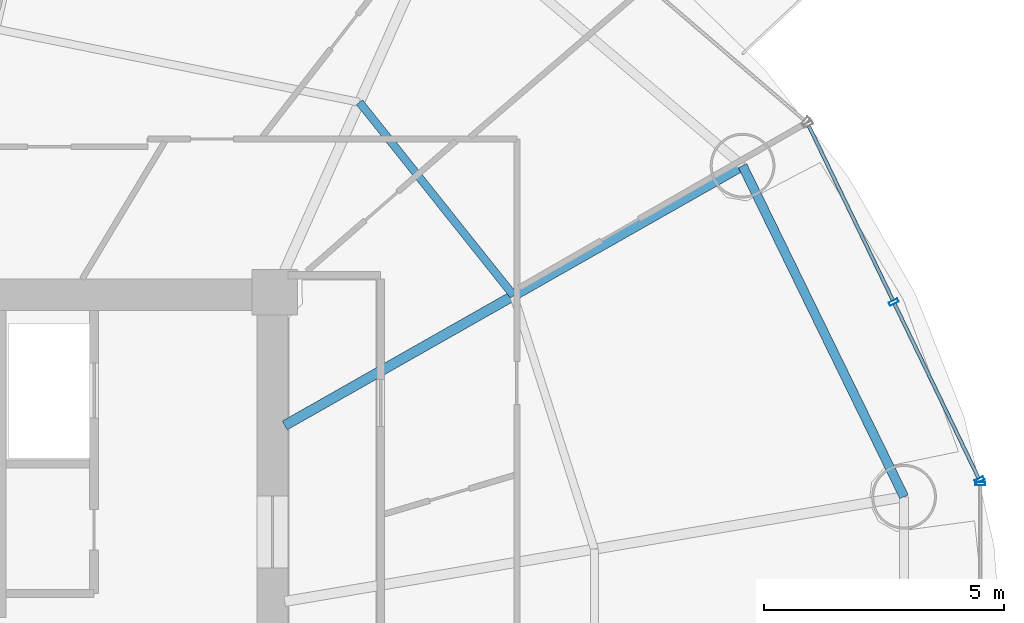
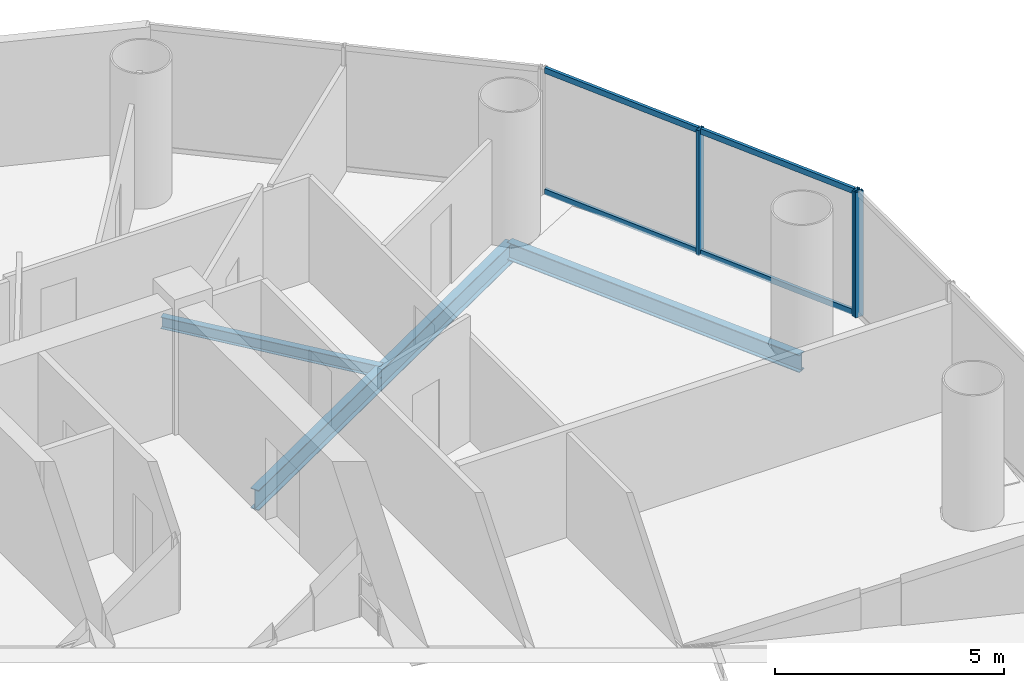
# One storey, part 13 of 27: 7 members, 3 beams, 2 elements without a shape of their own.
"""IFC4 building model written with IfcOpenShell, lengths in metres."""

import ifcopenshell
import ifcopenshell.guid

model = None  # the IFC model being written
_history = None  # IfcOwnerHistory: only IFC2X3 demands one
_inside = {}  # id of a spatial element -> (the spatial element, [elements in it])
_under = {}  # id of a project, library or spatial element -> (it, [spatial elements below it])
_declared = {}  # id of a project -> (the project, [libraries it declares])
_typed = {}  # id of a type object -> (the type object, [elements of that type])
_made_of = {}  # id of a material, layer set ... -> (it, [elements and type objects made of it])


def new_model(schema):
    """Start an empty IFC model of exactly this schema.

    Asked for "IFC4X3", IfcOpenShell would pick the latest addendum, in which some entities
    have other attributes; the version numbers below select the first issue.
    IFC2X3 requires an IfcOwnerHistory on every rooted entity: one is made here for all.
    """
    global model, _history
    if schema == "IFC4X3":
        model = ifcopenshell.file(schema_version=(4, 3, 0, 0))
    else:
        model = ifcopenshell.file(schema=schema)
    _inside.clear()
    _under.clear()
    _declared.clear()
    _typed.clear()
    _made_of.clear()
    _history = None
    if model.schema == "IFC2X3":
        org = make("IfcOrganization", Name="unknown")
        user = make(
            "IfcPersonAndOrganization",
            ThePerson=make("IfcPerson", FamilyName="unknown"),
            TheOrganization=org,
        )
        app = make(
            "IfcApplication",
            ApplicationDeveloper=org,
            Version="unknown",
            ApplicationFullName="unknown",
            ApplicationIdentifier="unknown",
        )
        _history = make(
            "IfcOwnerHistory",
            OwningUser=user,
            OwningApplication=app,
            ChangeAction="ADDED",
            CreationDate=0,
        )
    return model


def make(cls, **values):
    """One entity of the class cls with the attributes given. An attribute that is None is left unset."""
    return model.create_entity(
        cls, **{name: value for name, value in values.items() if value is not None}
    )


def rooted(cls, **values):
    """An entity with a GlobalId (a new one), such as an element, a storey or a relation."""
    return make(cls, GlobalId=ifcopenshell.guid.new(), OwnerHistory=_history, **values)


def si_unit(unit_type, name, prefix=None):
    """IfcSIUnit, for example si_unit("LENGTHUNIT", "METRE", prefix="MILLI")."""
    return make("IfcSIUnit", UnitType=unit_type, Prefix=prefix, Name=name)


def assignment(units):
    """IfcUnitAssignment: the units of a project."""
    return None if units is None else make("IfcUnitAssignment", Units=units)


def point(xyz):
    """IfcCartesianPoint."""
    return None if xyz is None else make("IfcCartesianPoint", Coordinates=xyz)


def direction(xyz):
    """IfcDirection."""
    return None if xyz is None else make("IfcDirection", DirectionRatios=xyz)


def frame(location, z_axis=None, x_axis=None):
    """IfcAxis2Placement3D, a coordinate frame: its origin and axes. An axis left out is left unset."""
    return make(
        "IfcAxis2Placement3D",
        Location=point(location),
        Axis=direction(z_axis),
        RefDirection=direction(x_axis),
    )


def frame_2d(location, x_axis=None):
    """IfcAxis2Placement2D, a coordinate frame in the plane: its origin and x axis."""
    return make(
        "IfcAxis2Placement2D", Location=point(location), RefDirection=direction(x_axis)
    )


def origin():
    """The frame at (0, 0, 0) with its axes left unset."""
    return frame((0.0, 0.0, 0.0))


def origin_2d():
    """The frame at (0, 0) in the plane with its x axis left unset."""
    return frame_2d((0.0, 0.0))


def place(relative_to, where):
    """IfcLocalPlacement: puts the frame where relative to a parent placement (None: the world)."""
    return make(
        "IfcLocalPlacement", PlacementRelTo=relative_to, RelativePlacement=where
    )


def context(
    kind, dimensions, precision=None, world=None, true_north=None, identifier=None
):
    """IfcGeometricRepresentationContext, for example the 3D "Model" context."""
    return make(
        "IfcGeometricRepresentationContext",
        ContextIdentifier=identifier,
        ContextType=kind,
        CoordinateSpaceDimension=dimensions,
        Precision=precision,
        WorldCoordinateSystem=world,
        TrueNorth=true_north,
    )


def subcontext(parent, identifier, kind, view, scale=None):
    """IfcGeometricRepresentationSubContext, for example "Body" below "Model"."""
    return make(
        "IfcGeometricRepresentationSubContext",
        ContextIdentifier=identifier,
        ContextType=kind,
        ParentContext=parent,
        TargetScale=scale,
        TargetView=view,
    )


def project(units=None, contexts=None):
    """IfcProject with its units and contexts."""
    return rooted(
        "IfcProject",
        Name="project",
        RepresentationContexts=contexts,
        UnitsInContext=assignment(units),
    )


def spatial(cls, under=None, at=None, **own):
    """A site, building, storey or space (cls), placed at a placement, below another one or the project."""
    s = rooted(cls, ObjectPlacement=at, **own)
    if under is not None:
        _under.setdefault(under.id(), (under, []))[1].append(s)
    return s


def profile(cls, at=None, kind="AREA", **sizes):
    """A parametric profile (cls). Its sizes go by their IFC names, for example OverallWidth=200.0."""
    return make(cls, ProfileType=kind, Position=at, **sizes)


def hollow_rectangle(**sizes):
    """IfcRectangleHollowProfileDef."""
    return profile("IfcRectangleHollowProfileDef", **sizes)


def i_section(**sizes):
    """IfcIShapeProfileDef."""
    return profile("IfcIShapeProfileDef", **sizes)


def extrude(swept, where, along, depth):
    """IfcExtrudedAreaSolid: the profile swept, set in the frame where, extruded along a direction by depth."""
    return make(
        "IfcExtrudedAreaSolid",
        SweptArea=swept,
        Position=where,
        ExtrudedDirection=direction(along),
        Depth=depth,
    )


def shape(context_of_items, identifier, shape_type, items):
    """IfcShapeRepresentation: the items that make up one representation, for example the "Body"."""
    return make(
        "IfcShapeRepresentation",
        ContextOfItems=context_of_items,
        RepresentationIdentifier=identifier,
        RepresentationType=shape_type,
        Items=items,
    )


def source(mapping_origin, context_of_items, identifier, shape_type, items):
    """IfcRepresentationMap: a shape defined once, which mapped items show again and again."""
    return make(
        "IfcRepresentationMap",
        MappingOrigin=mapping_origin,
        MappedRepresentation=shape(context_of_items, identifier, shape_type, items),
    )


def transform(
    local_origin,
    x_axis=None,
    y_axis=None,
    z_axis=None,
    scale=None,
    scale2=None,
    scale3=None,
    uniform=True,
):
    """IfcCartesianTransformationOperator3D, or its non-uniform kind. x_axis, y_axis, z_axis: its Axis1, 2, 3."""
    if uniform:
        return make(
            "IfcCartesianTransformationOperator3D",
            Axis1=direction(x_axis),
            Axis2=direction(y_axis),
            LocalOrigin=point(local_origin),
            Scale=scale,
            Axis3=direction(z_axis),
        )
    return make(
        "IfcCartesianTransformationOperator3DnonUniform",
        Axis1=direction(x_axis),
        Axis2=direction(y_axis),
        LocalOrigin=point(local_origin),
        Scale=scale,
        Axis3=direction(z_axis),
        Scale2=scale2,
        Scale3=scale3,
    )


def mapped(mapping_source, mapping_target):
    """IfcMappedItem: shows the shape of a source again, moved by a transform."""
    return make(
        "IfcMappedItem", MappingSource=mapping_source, MappingTarget=mapping_target
    )


def material(Name=None, Category=None):
    """IfcMaterial."""
    return make("IfcMaterial", Name=Name, Category=Category)


def material_profile(
    of_material, cross_section, Name=None, Category=None, Priority=None
):
    """IfcMaterialProfile: a cross section and its material."""
    return make(
        "IfcMaterialProfile",
        Name=Name,
        Material=of_material,
        Profile=cross_section,
        Priority=Priority,
        Category=Category,
    )


def profile_set(profiles, Name=None, composite=None):
    """IfcMaterialProfileSet."""
    return make(
        "IfcMaterialProfileSet",
        Name=Name,
        MaterialProfiles=profiles,
        CompositeProfile=composite,
    )


def made_of(thing, what):
    """Note that an element or type object is made of a material, layer set ...; save() writes the relation."""
    if what is not None:
        _made_of.setdefault(what.id(), (what, []))[1].append(thing)
    return thing


def type_object(cls, material=None, **own):
    """A type object (cls), such as IfcWallType, which elements share."""
    return made_of(rooted(cls, **own), material)


def element(
    cls,
    number,
    at=None,
    inside=None,
    cuts=None,
    type_object=None,
    material=None,
    context=None,
    identifier="Body",
    shape_type=None,
    held_by="IfcProductDefinitionShape",
    body=None,
    shapes=None,
    **own,
):
    """One element of the class cls, such as IfcWall. Its Tag is "e" and its number.

    at: its placement. inside: the storey or other place that contains it. cuts: it is an
    opening in that element (IfcRelVoidsElement). A single representation is given by context,
    identifier, shape_type and body (its items); several are given by shapes. held_by: the class
    of the entity that holds the representations. save() writes the other relations.
    """
    e = rooted(cls, Tag="e%d" % number, ObjectPlacement=at, **own)
    if body is not None:
        shapes = [shape(context, identifier, shape_type, body)]
    if shapes is not None:
        e.Representation = make(held_by, Representations=shapes)
    if inside is not None:
        _inside.setdefault(inside.id(), (inside, []))[1].append(e)
    if cuts is not None:
        rooted(
            "IfcRelVoidsElement", RelatingBuildingElement=cuts, RelatedOpeningElement=e
        )
    if type_object is not None:
        _typed.setdefault(type_object.id(), (type_object, []))[1].append(e)
    return made_of(e, material)


def aggregate(whole, parts):
    """IfcRelAggregates: a whole, such as a stair, and the parts it consists of."""
    return rooted("IfcRelAggregates", RelatingObject=whole, RelatedObjects=parts)


def save(model, path):
    """Write the relations noted so far, then the file.

    IfcRelAggregates (storeys below a building ...), IfcRelContainedInSpatialStructure (elements
    in a storey), IfcRelDefinesByType, IfcRelAssociatesMaterial and IfcRelDeclares: one each for
    every whole, place, type object, material and project.
    """
    for whole, parts in _under.values():
        aggregate(whole, parts)
    for where, things in _inside.values():
        rooted(
            "IfcRelContainedInSpatialStructure",
            RelatedElements=things,
            RelatingStructure=where,
        )
    for kind, things in _typed.values():
        rooted("IfcRelDefinesByType", RelatedObjects=things, RelatingType=kind)
    for what, things in _made_of.values():
        rooted("IfcRelAssociatesMaterial", RelatedObjects=things, RelatingMaterial=what)
    for by, libraries in _declared.values():
        rooted("IfcRelDeclares", RelatingContext=by, RelatedDefinitions=libraries)
    model.write(path)


model = new_model("IFC4")

# Units and contexts
model_context = context("Model", 3, precision=1e-05, world=origin(), true_north=direction((-0.2419218956, 0.970295726276)))
body_context = subcontext(model_context, "Body", "Model", "MODEL_VIEW")
ifc_project = project(units=[si_unit("LENGTHUNIT", "METRE"), si_unit("AREAUNIT", "SQUARE_METRE"), si_unit("VOLUMEUNIT", "CUBIC_METRE"), si_unit("PLANEANGLEUNIT", "RADIAN"), si_unit("MASSUNIT", "GRAM", prefix="KILO")], contexts=[model_context])

# Site, building, storey
site_placement = place(None, origin())
site = spatial("IfcSite", under=ifc_project, at=site_placement, CompositionType="ELEMENT")
building_placement = place(site_placement, origin())
building = spatial("IfcBuilding", under=site, at=building_placement, Name="Cobrevalo Terracotta Tower", CompositionType="ELEMENT")
storey_placement = place(building_placement, frame((0.0, 0.0, 157.0)))
storey = spatial("IfcBuildingStorey", under=building, at=storey_placement, Name="L41", CompositionType="ELEMENT", Elevation=157.0)

# Beams
ifc_material_1 = material(Name="Steel S355", Category="steel")
ifc_material_profile_1 = material_profile(ifc_material_1, i_section(OverallWidth=0.2109375, OverallDepth=0.5390625, WebThickness=0.01171875, FlangeThickness=0.018798828125, at=origin_2d()), Name="W 530x109")
ifc_profile_set_1 = profile_set([ifc_material_profile_1], Name="Steel S355")
beam_type_1 = type_object("IfcBeamType", Name="Structural Beam W 530x109 (Steel S355)", PredefinedType="BEAM", material=ifc_profile_set_1)
beam_1_placement = place(storey_placement, frame((56.749755859375, 37.439208984375, -0.53955078125), z_axis=(-0.869734177783, -0.493520475762, 0.0), x_axis=(0.493520475762, -0.869734177783, 0.0)))
element("IfcBeam", 1, at=beam_1_placement, inside=storey, type_object=beam_type_1, Name="L41 radial floor girder 02", PredefinedType="BEAM", context=body_context, shape_type="SweptSolid", body=[
    extrude(i_section(OverallWidth=0.2109375, OverallDepth=0.5390625, WebThickness=0.01171875, FlangeThickness=0.018798828125, at=origin_2d()), origin(), (0.0, 0.0, 1.0), 10.974365234375),
])
ifc_material_profile_2 = material_profile(ifc_material_1, i_section(OverallWidth=0.1650390625, OverallDepth=0.31005859375, WebThickness=0.005859375, FlangeThickness=0.009765625, at=origin_2d()), Name="W 310x38.7")
ifc_profile_set_2 = profile_set([ifc_material_profile_2], Name="Steel S355")
beam_type_2 = type_object("IfcBeamType", Name="Structural Joist W 310x38.7 (Steel S355)", PredefinedType="JOIST", material=ifc_profile_set_2)
beam_2_placement = place(storey_placement, frame((51.977294921875, 34.731201171875, -0.425048828125), z_axis=(-0.62340602772, 0.781898282773, 0.0), x_axis=(-0.781898282773, -0.62340602772, 0.0)))
element("IfcBeam", 2, at=beam_2_placement, inside=storey, type_object=beam_type_2, Name="L41 circumferential secondary floor joist 02", PredefinedType="JOIST", context=body_context, shape_type="SweptSolid", body=[
    extrude(i_section(OverallWidth=0.1650390625, OverallDepth=0.31005859375, WebThickness=0.005859375, FlangeThickness=0.009765625, at=origin_2d()), origin(), (0.0, 0.0, 1.0), 5.154052734375),
])
ifc_material_profile_3 = material_profile(ifc_material_1, i_section(OverallWidth=0.194091796875, OverallDepth=0.468994140625, WebThickness=0.011474609375, FlangeThickness=0.0205078125, at=origin_2d()), Name="W 460x106")
ifc_profile_set_3 = profile_set([ifc_material_profile_3], Name="Steel S355")
beam_type_3 = type_object("IfcBeamType", Name="Structural Spandrel W 460x106 (Steel S355)", PredefinedType="SPANDREL", material=ifc_profile_set_3)
beam_3_placement = place(storey_placement, frame((60.11669921875, 30.535888671875, -0.50439453125), z_axis=(-0.438367894028, 0.89879563277, 0.0), x_axis=(-0.89879563277, -0.438367894028, 0.0)))
element("IfcBeam", 3, at=beam_3_placement, inside=storey, type_object=beam_type_3, Name="L41 perimeter ring spandrel 01", PredefinedType="SPANDREL", context=body_context, shape_type="SweptSolid", body=[
    extrude(i_section(OverallWidth=0.194091796875, OverallDepth=0.468994140625, WebThickness=0.011474609375, FlangeThickness=0.0205078125, at=origin_2d()), origin(), (0.0, 0.0, 1.0), 7.6806640625),
])

# Curtain wall, members
ifc_material_2 = material(Name="Anodized aluminium", Category="aluminium")
curtain_wall_type = type_object("IfcCurtainWallType", Name="Mid-tower high-wind unitised curtain wall CW-U2", PredefinedType="NOTDEFINED", material=ifc_material_2)
curtain_wall_1_placement = place(storey_placement, origin())
curtain_wall_1 = element("IfcCurtainWall", 4, at=curtain_wall_1_placement, inside=storey, type_object=curtain_wall_type, Name="L41 curtain wall CW-L41-S01", PredefinedType="NOTDEFINED")
ifc_material_profile_4 = material_profile(ifc_material_2, hollow_rectangle(XDim=0.074951171875, YDim=0.199951171875, WallThickness=0.0048828125, at=origin_2d()), Name="CWM 75x200")
ifc_profile_set_4 = profile_set([ifc_material_profile_4], Name="Anodized aluminium")
member_type_1 = type_object("IfcMemberType", Name="Lower/mid tower unitised mullion 75x200", PredefinedType="MULLION", material=ifc_profile_set_4)
shared_shape_1 = source(origin(), body_context, "Body", "SweptSolid", [
    extrude(hollow_rectangle(XDim=0.074951171875, YDim=0.199951171875, WallThickness=0.0048828125, at=origin_2d()), origin(), (0.0, 0.0, 1.0), 3.330078125),
])
member_1_placement = place(storey_placement, frame((61.688232421875, 30.887939453125, 0.0), z_axis=(0.0, 0.0, 1.0), x_axis=(-0.434209440271, 0.900811945957, 0.0)))
member_1 = element("IfcMember", 5, at=member_1_placement, type_object=member_type_1, Name="CW-L41-S01 vertical mullion 01", PredefinedType="MULLION", context=body_context, shape_type="MappedRepresentation", body=[
    mapped(shared_shape_1, transform((0.0, 0.0, 0.0), scale=1.0)),
])
member_2_placement = place(storey_placement, frame((59.901123046875, 34.595703125, 0.0), z_axis=(0.0, 0.0, 1.0), x_axis=(-0.434209440271, 0.900811945957, 0.0)))
member_2 = element("IfcMember", 6, at=member_2_placement, type_object=member_type_1, Name="CW-L41-S01 vertical mullion 02", PredefinedType="MULLION", context=body_context, shape_type="MappedRepresentation", body=[
    mapped(shared_shape_1, transform((0.0, 0.0, 0.0), scale=1.0)),
])

# Curtain wall, member
curtain_wall_2_placement = place(storey_placement, origin())
curtain_wall_2 = element("IfcCurtainWall", 7, at=curtain_wall_2_placement, inside=storey, type_object=curtain_wall_type, Name="L41 curtain wall CW-L41-S16", PredefinedType="NOTDEFINED")
member_3_placement = place(storey_placement, frame((61.70556640625, 30.81201171875, 0.0), z_axis=(0.0, 0.0, 1.0), x_axis=(0.0, 1.0, 0.0)))
member_3 = element("IfcMember", 8, at=member_3_placement, type_object=member_type_1, Name="CW-L41-S16 vertical mullion 03", PredefinedType="MULLION", context=body_context, shape_type="MappedRepresentation", body=[
    mapped(shared_shape_1, transform((0.0, 0.0, 0.0), scale=1.0)),
])
aggregate(curtain_wall_2, [member_3])

# Member
ifc_material_profile_5 = material_profile(ifc_material_2, hollow_rectangle(XDim=0.074951171875, YDim=0.14990234375, WallThickness=0.00439453125, at=origin_2d()), Name="CWT 75x150")
ifc_profile_set_5 = profile_set([ifc_material_profile_5], Name="Anodized aluminium")
member_type_2 = type_object("IfcMemberType", Name="Tower unitised aluminium transom 75x150", PredefinedType="USERDEFINED", material=ifc_profile_set_5)
shared_shape_2 = source(origin(), body_context, "Body", "SweptSolid", [
    extrude(hollow_rectangle(XDim=0.074951171875, YDim=0.14990234375, WallThickness=0.00439453125, at=origin_2d()), origin(), (0.0, 0.0, 1.0), 4.035888671875),
])
member_4_placement = place(storey_placement, frame((61.6708984375, 30.924072265625, 0.050048828125), z_axis=(-0.434221176581, 0.900806288726, 0.0), x_axis=(-0.900806288726, -0.434221176581, 0.0)))
member_4 = element("IfcMember", 9, at=member_4_placement, type_object=member_type_2, Name="CW-L41-S01 transom B01-T1", ObjectType="TRANSOM", PredefinedType="USERDEFINED", context=body_context, shape_type="MappedRepresentation", body=[
    mapped(shared_shape_2, transform((0.0, 0.0, 0.0), scale=1.0)),
])

member_5_placement = place(storey_placement, frame((61.6708984375, 30.924072265625, 3.280029296875), z_axis=(-0.434221176581, 0.900806288726, 0.0), x_axis=(-0.900806288726, -0.434221176581, 0.0)))
member_5 = element("IfcMember", 10, at=member_5_placement, type_object=member_type_2, Name="CW-L41-S01 transom B01-T2", ObjectType="TRANSOM", PredefinedType="USERDEFINED", context=body_context, shape_type="MappedRepresentation", body=[
    mapped(shared_shape_2, transform((0.0, 0.0, 0.0), scale=1.0)),
])

member_6_placement = place(storey_placement, frame((59.8837890625, 34.631591796875, 0.050048828125), z_axis=(-0.434221176581, 0.900806288726, 0.0), x_axis=(-0.900806288726, -0.434221176581, 0.0)))
member_6 = element("IfcMember", 11, at=member_6_placement, type_object=member_type_2, Name="CW-L41-S01 transom B02-T1", ObjectType="TRANSOM", PredefinedType="USERDEFINED", context=body_context, shape_type="MappedRepresentation", body=[
    mapped(shared_shape_2, transform((0.0, 0.0, 0.0), scale=1.0)),
])

member_7_placement = place(storey_placement, frame((59.8837890625, 34.631591796875, 3.280029296875), z_axis=(-0.434221176581, 0.900806288726, 0.0), x_axis=(-0.900806288726, -0.434221176581, 0.0)))
member_7 = element("IfcMember", 12, at=member_7_placement, type_object=member_type_2, Name="CW-L41-S01 transom B02-T2", ObjectType="TRANSOM", PredefinedType="USERDEFINED", context=body_context, shape_type="MappedRepresentation", body=[
    mapped(shared_shape_2, transform((0.0, 0.0, 0.0), scale=1.0)),
])

aggregate(curtain_wall_1, [member_1, member_2, member_4, member_5, member_6, member_7])

save(model, "model.ifc")
